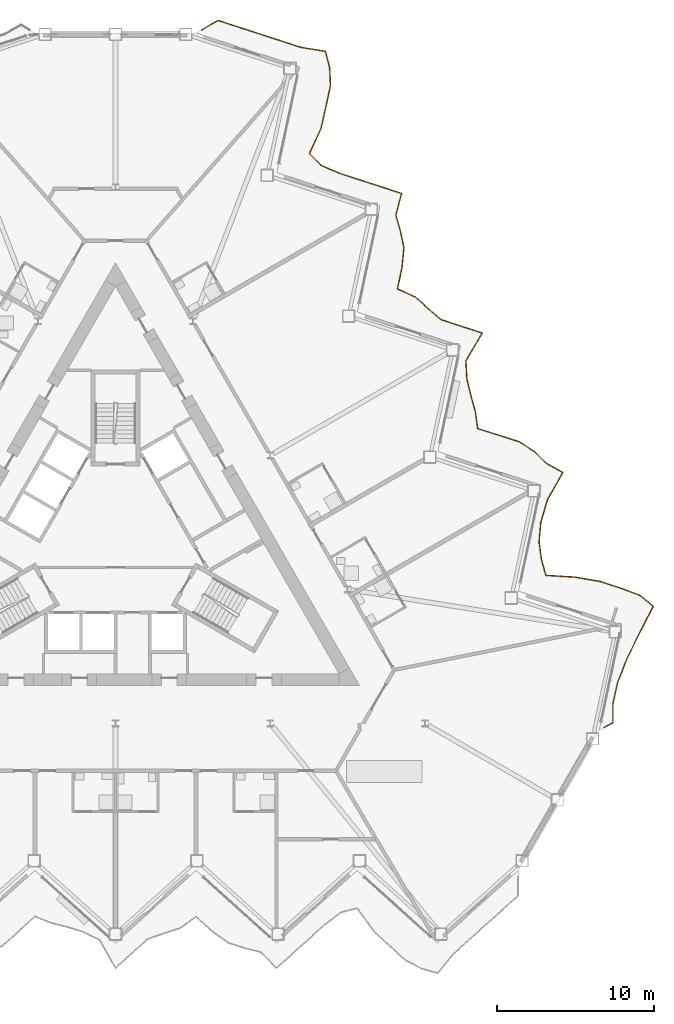
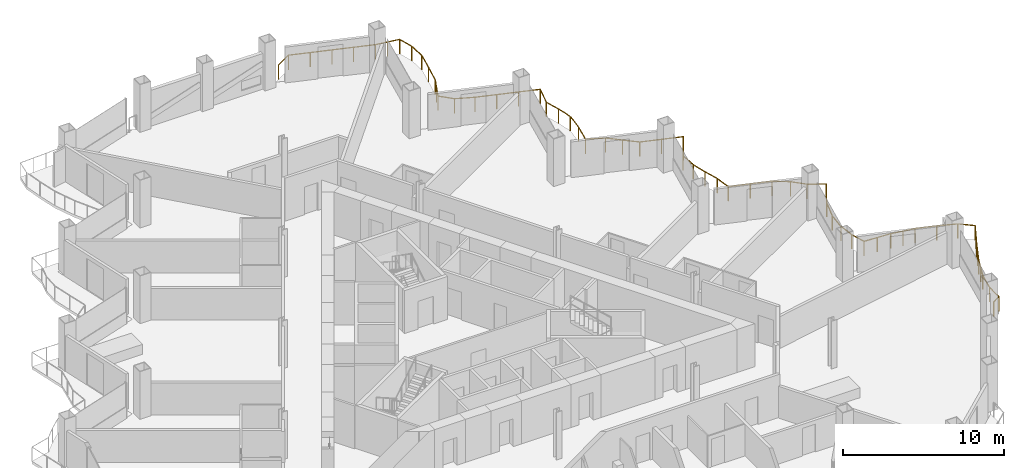
# One storey, part 21 of 23: 1 railing.
"""IFC4 building model written with IfcOpenShell, lengths in metres."""

from ifc_helpers import new_model, si_unit, direction, frame, origin, origin_2d, place, context, subcontext, project, spatial, circle, extrude, material, type_object, element, save


model = new_model("IFC4")

# Units and contexts
model_context = context("Model", 3, precision=1e-05, world=origin(), true_north=direction((0.0, 1.0)))
body_context = subcontext(model_context, "Body", "Model", "MODEL_VIEW")
ifc_project = project(units=[si_unit("LENGTHUNIT", "METRE"), si_unit("AREAUNIT", "SQUARE_METRE"), si_unit("VOLUMEUNIT", "CUBIC_METRE"), si_unit("PLANEANGLEUNIT", "RADIAN"), si_unit("MASSUNIT", "GRAM", prefix="KILO")], contexts=[model_context])

# Site, building, storey
site_placement = place(None, origin())
site = spatial("IfcSite", under=ifc_project, at=site_placement, CompositionType="ELEMENT")
building_placement = place(site_placement, origin())
building = spatial("IfcBuilding", under=site, at=building_placement, Name="Cormorant Prow Tower", CompositionType="ELEMENT")
storey_placement = place(building_placement, frame((0.0, 0.0, 176.39990234375)))
storey = spatial("IfcBuildingStorey", under=building, at=storey_placement, Name="L37", CompositionType="ELEMENT", Elevation=176.39990234375)

# Railing
ifc_material = material(Name="Aluminium 6063-T6", Category="aluminium")
railing_type = type_object("IfcRailingType", Name="Balcony guard 1100", PredefinedType="GUARDRAIL", material=ifc_material)
railing_placement = place(storey_placement, frame((31.031494140625, -11.619384765625, 0.0)))
element("IfcRailing", 1, at=railing_placement, inside=storey, type_object=railing_type, Name="Balcony guard ENE", PredefinedType="GUARDRAIL", context=body_context, shape_type="SweptSolid", body=[
    extrude(circle(Radius=0.02392578125, at=origin_2d()), frame((0.0, 0.0, 1.076171875), z_axis=(0.866204753408, 0.499689228594, 0.0), x_axis=(-0.499689228594, 0.866204753408, 0.0)), (0.0, 0.0, 1.0), 0.63623046875),
    extrude(circle(Radius=0.02392578125, at=origin_2d()), frame((0.551025390625, 0.31787109375, 1.076171875), z_axis=(0.001238900557, 0.999999232562, 0.0), x_axis=(-0.999999232562, 0.001238900557, 0.0)), (0.0, 0.0, 1.0), 1.182373046875),
    extrude(circle(Radius=0.02392578125, at=origin_2d()), frame((0.552490234375, 1.500244140625, 1.076171875), z_axis=(0.216837353632, 0.976207745344, 0.0), x_axis=(-0.976207745344, 0.216837353632, 0.0)), (0.0, 0.0, 1.0), 1.38818359375),
    extrude(circle(Radius=0.02392578125, at=origin_2d()), frame((0.853515625, 2.85546875, 1.076171875), z_axis=(0.363977820043, 0.931407615664, 0.0), x_axis=(-0.931407615664, 0.363977820043, 0.0)), (0.0, 0.0, 1.0), 1.637939453125),
    extrude(circle(Radius=0.02392578125, at=origin_2d()), frame((1.44970703125, 4.381103515625, 1.076171875), z_axis=(0.438820275915, 0.898574852444, 0.0), x_axis=(-0.898574852444, 0.438820275915, 0.0)), (0.0, 0.0, 1.0), 1.8310546875),
    extrude(circle(Radius=0.02392578125, at=origin_2d()), frame((2.253173828125, 6.0263671875, 1.076171875), z_axis=(0.456909757703, 0.889513054045, 0.0), x_axis=(-0.889513054045, 0.456909757703, 0.0)), (0.0, 0.0, 1.0), 1.888427734375),
    extrude(circle(Radius=0.02392578125, at=origin_2d()), frame((3.115966796875, 7.7060546875, 1.076171875), z_axis=(-0.768643216156, 0.639677736253, 0.0), x_axis=(-0.639677736253, -0.768643216156, 0.0)), (0.0, 0.0, 1.0), 1.09033203125),
    extrude(circle(Radius=0.02392578125, at=origin_2d()), frame((2.27783203125, 8.403564453125, 1.076171875), z_axis=(-0.936101707301, 0.351729432361, 0.0), x_axis=(-0.351729432361, -0.936101707301, 0.0)), (0.0, 0.0, 1.0), 1.324462890625),
    extrude(circle(Radius=0.02392578125, at=origin_2d()), frame((1.0380859375, 8.869384765625, 1.076171875), z_axis=(-0.951084882537, 0.308929678422, 0.0), x_axis=(-0.308929678422, -0.951084882537, 0.0)), (0.0, 0.0, 1.0), 1.376708984375),
    extrude(circle(Radius=0.02392578125, at=origin_2d()), frame((-0.271240234375, 9.294677734375, 1.076171875), z_axis=(-0.985748137908, 0.16822784731, 0.0), x_axis=(-0.16822784731, -0.985748137908, 0.0)), (0.0, 0.0, 1.0), 1.602294921875),
    extrude(circle(Radius=0.02392578125, at=origin_2d()), frame((-1.8505859375, 9.564208984375, 1.076171875), z_axis=(-0.998130705632, 0.061115419294, 0.0), x_axis=(-0.061115419294, -0.998130705632, 0.0)), (0.0, 0.0, 1.0), 1.853515625),
    extrude(circle(Radius=0.02392578125, at=origin_2d()), frame((-3.70068359375, 9.677490234375, 1.076171875), z_axis=(-0.267512799618, 0.963554306742, 0.0), x_axis=(-0.963554306742, -0.267512799618, 0.0)), (0.0, 0.0, 1.0), 1.056884765625),
    extrude(circle(Radius=0.02392578125, at=origin_2d()), frame((-3.9833984375, 10.69580078125, 1.076171875), z_axis=(-0.134246078402, 0.990948026101, 0.0), x_axis=(-0.990948026101, -0.134246078402, 0.0)), (0.0, 0.0, 1.0), 1.105712890625),
    extrude(circle(Radius=0.02392578125, at=origin_2d()), frame((-4.1318359375, 11.79150390625, 1.076171875), z_axis=(0.087734135506, 0.99614392608, 0.0), x_axis=(-0.99614392608, 0.087734135506, 0.0)), (0.0, 0.0, 1.0), 1.24951171875),
    extrude(circle(Radius=0.02392578125, at=origin_2d()), frame((-4.022216796875, 13.0361328125, 1.076171875), z_axis=(0.281996979435, 0.959415292556, 0.0), x_axis=(-0.959415292556, 0.281996979435, 0.0)), (0.0, 0.0, 1.0), 1.483154296875),
    extrude(circle(Radius=0.02392578125, at=origin_2d()), frame((-3.60400390625, 14.458984375, 1.076171875), z_axis=(0.488149709295, 0.872759910465, 0.0), x_axis=(-0.872759910465, 0.488149709295, 0.0)), (0.0, 0.0, 1.0), 1.99951171875),
    extrude(circle(Radius=0.02392578125, at=origin_2d()), frame((-2.6279296875, 16.2041015625, 1.076171875), z_axis=(-0.872019132688, 0.489471789, 0.0), x_axis=(-0.489471789, -0.872019132688, 0.0)), (0.0, 0.0, 1.0), 1.189697265625),
    extrude(circle(Radius=0.02392578125, at=origin_2d()), frame((-3.665283203125, 16.786376953125, 1.076171875), z_axis=(-0.710893849194, 0.703299321184, 0.0), x_axis=(-0.703299321184, -0.710893849194, 0.0)), (0.0, 0.0, 1.0), 1.060791015625),
    extrude(circle(Radius=0.02392578125, at=origin_2d()), frame((-4.41943359375, 17.532470703125, 1.076171875), z_axis=(-0.840854315224, 0.541261508487, 0.0), x_axis=(-0.541261508487, -0.840854315224, 0.0)), (0.0, 0.0, 1.0), 1.150634765625),
    extrude(circle(Radius=0.02392578125, at=origin_2d()), frame((-5.386962890625, 18.1552734375, 1.076171875), z_axis=(-0.951032765546, 0.309090082108, 0.0), x_axis=(-0.309090082108, -0.951032765546, 0.0)), (0.0, 0.0, 1.0), 1.376708984375),
    extrude(circle(Radius=0.02392578125, at=origin_2d()), frame((-6.6962890625, 18.580810546875, 1.076171875), z_axis=(-0.954367449084, 0.298634847478, 0.0), x_axis=(-0.298634847478, -0.954367449084, 0.0)), (0.0, 0.0, 1.0), 1.390625),
    extrude(circle(Radius=0.02392578125, at=origin_2d()), frame((-8.0234375, 18.99609375, 1.076171875), z_axis=(-0.142227709414, 0.989833965206, 0.0), x_axis=(-0.989833965206, -0.142227709414, 0.0)), (0.0, 0.0, 1.0), 1.10205078125),
    extrude(circle(Radius=0.02392578125, at=origin_2d()), frame((-8.18017578125, 20.0869140625, 1.076171875), z_axis=(-0.269741378874, 0.962932805819, 0.0), x_axis=(-0.962932805819, -0.269741378874, 0.0)), (0.0, 0.0, 1.0), 1.05615234375),
    extrude(circle(Radius=0.02392578125, at=origin_2d()), frame((-8.465087890625, 21.10400390625, 1.076171875), z_axis=(-0.234394392952, 0.972141588737, 0.0), x_axis=(-0.972141588737, -0.234394392952, 0.0)), (0.0, 0.0, 1.0), 1.066650390625),
    extrude(circle(Radius=0.02392578125, at=origin_2d()), frame((-8.715087890625, 22.140869140625, 1.076171875), z_axis=(-0.053831909847, 0.998550011508, 0.0), x_axis=(-0.998550011508, -0.053831909847, 0.0)), (0.0, 0.0, 1.0), 1.1474609375),
    extrude(circle(Radius=0.02392578125, at=origin_2d()), frame((-8.77685546875, 23.28662109375, 1.076171875), z_axis=(0.5024161652, 0.864625928911, 0.0), x_axis=(-0.864625928911, 0.5024161652, 0.0)), (0.0, 0.0, 1.0), 2.056396484375),
    extrude(circle(Radius=0.02392578125, at=origin_2d()), frame((-7.74365234375, 25.064697265625, 1.076171875), z_axis=(-0.951084882537, 0.308929678422, 0.0), x_axis=(-0.308929678422, -0.951084882537, 0.0)), (0.0, 0.0, 1.0), 1.376708984375),
    extrude(circle(Radius=0.02392578125, at=origin_2d()), frame((-9.052978515625, 25.489990234375, 1.076171875), z_axis=(-0.951032765546, 0.309090082108, 0.0), x_axis=(-0.309090082108, -0.951032765546, 0.0)), (0.0, 0.0, 1.0), 1.376708984375),
    extrude(circle(Radius=0.02392578125, at=origin_2d()), frame((-10.3623046875, 25.91552734375, 1.076171875), z_axis=(-0.755391403795, 0.655273856546, 0.0), x_axis=(-0.655273856546, -0.755391403795, 0.0)), (0.0, 0.0, 1.0), 1.082763671875),
    extrude(circle(Radius=0.02392578125, at=origin_2d()), frame((-11.18017578125, 26.625, 1.076171875), z_axis=(-0.742288433419, 0.67008050383, 0.0), x_axis=(-0.67008050383, -0.742288433419, 0.0)), (0.0, 0.0, 1.0), 1.0751953125),
    extrude(circle(Radius=0.02392578125, at=origin_2d()), frame((-11.978271484375, 27.345458984375, 1.076171875), z_axis=(-0.909793302603, 0.415061617762, 0.0), x_axis=(-0.415061617762, -0.909793302603, 0.0)), (0.0, 0.0, 1.0), 1.25634765625),
    extrude(circle(Radius=0.02392578125, at=origin_2d()), frame((-13.121337890625, 27.866943359375, 1.076171875), z_axis=(0.207833305176, 0.978164258834, 0.0), x_axis=(-0.978164258834, 0.207833305176, 0.0)), (0.0, 0.0, 1.0), 1.376708984375),
    extrude(circle(Radius=0.02392578125, at=origin_2d()), frame((-12.835205078125, 29.213623046875, 1.076171875), z_axis=(0.099407789169, 0.995046778525, 0.0), x_axis=(-0.995046778525, 0.099407789169, 0.0)), (0.0, 0.0, 1.0), 1.260009765625),
    extrude(circle(Radius=0.02392578125, at=origin_2d()), frame((-12.7099609375, 30.46728515625, 1.076171875), z_axis=(-0.207405502784, 0.978255057444, 0.0), x_axis=(-0.978255057444, -0.207405502784, 0.0)), (0.0, 0.0, 1.0), 1.075927734375),
    extrude(circle(Radius=0.02392578125, at=origin_2d()), frame((-12.93310546875, 31.519775390625, 1.076171875), z_axis=(-0.27621920783, 0.961094661948, 0.0), x_axis=(-0.961094661948, -0.27621920783, 0.0)), (0.0, 0.0, 1.0), 1.054443359375),
    extrude(circle(Radius=0.02392578125, at=origin_2d()), frame((-13.224365234375, 32.533203125, 1.076171875), z_axis=(0.253616412418, 0.967304871978, 0.0), x_axis=(-0.967304871978, 0.253616412418, 0.0)), (0.0, 0.0, 1.0), 1.439208984375),
    extrude(circle(Radius=0.02392578125, at=origin_2d()), frame((-12.859375, 33.92529296875, 1.076171875), z_axis=(-0.951032765546, 0.309090082108, 0.0), x_axis=(-0.309090082108, -0.951032765546, 0.0)), (0.0, 0.0, 1.0), 1.376708984375),
    extrude(circle(Radius=0.02392578125, at=origin_2d()), frame((-14.168701171875, 34.350830078125, 1.076171875), z_axis=(-0.951084882537, 0.308929678422, 0.0), x_axis=(-0.308929678422, -0.951084882537, 0.0)), (0.0, 0.0, 1.0), 1.376708984375),
    extrude(circle(Radius=0.02392578125, at=origin_2d()), frame((-15.47802734375, 34.776123046875, 1.076171875), z_axis=(-0.951032765546, 0.309090082108, 0.0), x_axis=(-0.309090082108, -0.951032765546, 0.0)), (0.0, 0.0, 1.0), 1.376708984375),
    extrude(circle(Radius=0.02392578125, at=origin_2d()), frame((-16.787353515625, 35.20166015625, 1.076171875), z_axis=(-0.920548561993, 0.390628141603, 0.0), x_axis=(-0.390628141603, -0.920548561993, 0.0)), (0.0, 0.0, 1.0), 1.28125),
    extrude(circle(Radius=0.02392578125, at=origin_2d()), frame((-17.966796875, 35.7021484375, 1.076171875), z_axis=(-0.698618454401, 0.715494413095, 0.0), x_axis=(-0.715494413095, -0.698618454401, 0.0)), (0.0, 0.0, 1.0), 1.05615234375),
    extrude(circle(Radius=0.02392578125, at=origin_2d()), frame((-18.70458984375, 36.457763671875, 1.076171875), z_axis=(0.41513789658, 0.909758499176, 0.0), x_axis=(-0.909758499176, 0.41513789658, 0.0)), (0.0, 0.0, 1.0), 1.76318359375),
    extrude(circle(Radius=0.02392578125, at=origin_2d()), frame((-17.97265625, 38.061767578125, 1.076171875), z_axis=(0.221083468792, 0.975254889671, 0.0), x_axis=(-0.975254889671, 0.221083468792, 0.0)), (0.0, 0.0, 1.0), 1.3935546875),
    extrude(circle(Radius=0.02392578125, at=origin_2d()), frame((-17.66455078125, 39.4208984375, 1.076171875), z_axis=(0.208002968159, 0.978128194685, 0.0), x_axis=(-0.978128194685, 0.208002968159, 0.0)), (0.0, 0.0, 1.0), 1.376708984375),
    extrude(circle(Radius=0.02392578125, at=origin_2d()), frame((-17.378173828125, 40.767578125, 1.076171875), z_axis=(-0.042950586858, 0.999077197762, 0.0), x_axis=(-0.999077197762, -0.042950586858, 0.0)), (0.0, 0.0, 1.0), 1.15380859375),
    extrude(circle(Radius=0.02392578125, at=origin_2d()), frame((-17.427734375, 41.92041015625, 1.076171875), z_axis=(-0.252646693234, 0.967558602048, 0.0), x_axis=(-0.967558602048, -0.252646693234, 0.0)), (0.0, 0.0, 1.0), 1.06103515625),
    extrude(circle(Radius=0.02392578125, at=origin_2d()), frame((-17.69580078125, 42.947021484375, 1.076171875), z_axis=(-0.986430773558, 0.16417773594, 0.0), x_axis=(-0.16417773594, -0.986430773558, 0.0)), (0.0, 0.0, 1.0), 1.610595703125),
    extrude(circle(Radius=0.02392578125, at=origin_2d()), frame((-19.284423828125, 43.21142578125, 1.076171875), z_axis=(-0.951032765546, 0.309090082108, 0.0), x_axis=(-0.309090082108, -0.951032765546, 0.0)), (0.0, 0.0, 1.0), 1.376708984375),
    extrude(circle(Radius=0.02392578125, at=origin_2d()), frame((-20.59375, 43.636962890625, 1.076171875), z_axis=(-0.951032765546, 0.309090082108, 0.0), x_axis=(-0.309090082108, -0.951032765546, 0.0)), (0.0, 0.0, 1.0), 1.376708984375),
    extrude(circle(Radius=0.02392578125, at=origin_2d()), frame((-21.903076171875, 44.0625, 1.076171875), z_axis=(-0.951084882537, 0.308929678422, 0.0), x_axis=(-0.308929678422, -0.951084882537, 0.0)), (0.0, 0.0, 1.0), 1.376708984375),
    extrude(circle(Radius=0.02392578125, at=origin_2d()), frame((-23.21240234375, 44.48779296875, 1.076171875), z_axis=(-0.951101803336, 0.308877580427, 0.0), x_axis=(-0.308877580427, -0.951101803336, 0.0)), (0.0, 0.0, 1.0), 1.376953125),
    extrude(circle(Radius=0.02392578125, at=origin_2d()), frame((-24.52197265625, 44.9130859375, 1.076171875), z_axis=(-0.866092288191, -0.499884134912, 0.0), x_axis=(0.499884134912, -0.866092288191, 0.0)), (0.0, 0.0, 1.0), 1.219970703125),
    extrude(circle(Radius=0.02099609375, at=origin_2d()), origin(), (0.0, 0.0, 1.0), 1.052001953125),
    extrude(circle(Radius=0.02099609375, at=origin_2d()), frame((0.551025390625, 0.31787109375, 0.0)), (0.0, 0.0, 1.0), 1.052001953125),
    extrude(circle(Radius=0.02099609375, at=origin_2d()), frame((0.552490234375, 1.500244140625, 0.0)), (0.0, 0.0, 1.0), 1.052001953125),
    extrude(circle(Radius=0.02099609375, at=origin_2d()), frame((0.853515625, 2.85546875, 0.0)), (0.0, 0.0, 1.0), 1.052001953125),
    extrude(circle(Radius=0.02099609375, at=origin_2d()), frame((1.151611328125, 3.6181640625, 0.0)), (0.0, 0.0, 1.0), 1.052001953125),
    extrude(circle(Radius=0.02099609375, at=origin_2d()), frame((1.44970703125, 4.381103515625, 0.0)), (0.0, 0.0, 1.0), 1.052001953125),
    extrude(circle(Radius=0.02099609375, at=origin_2d()), frame((1.8515625, 5.20361328125, 0.0)), (0.0, 0.0, 1.0), 1.052001953125),
    extrude(circle(Radius=0.02099609375, at=origin_2d()), frame((2.253173828125, 6.0263671875, 0.0)), (0.0, 0.0, 1.0), 1.052001953125),
    extrude(circle(Radius=0.02099609375, at=origin_2d()), frame((2.6845703125, 6.8662109375, 0.0)), (0.0, 0.0, 1.0), 1.052001953125),
    extrude(circle(Radius=0.02099609375, at=origin_2d()), frame((3.115966796875, 7.7060546875, 0.0)), (0.0, 0.0, 1.0), 1.052001953125),
    extrude(circle(Radius=0.02099609375, at=origin_2d()), frame((2.27783203125, 8.403564453125, 0.0)), (0.0, 0.0, 1.0), 1.052001953125),
    extrude(circle(Radius=0.02099609375, at=origin_2d()), frame((1.0380859375, 8.869384765625, 0.0)), (0.0, 0.0, 1.0), 1.052001953125),
    extrude(circle(Radius=0.02099609375, at=origin_2d()), frame((-0.271240234375, 9.294677734375, 0.0)), (0.0, 0.0, 1.0), 1.052001953125),
    extrude(circle(Radius=0.02099609375, at=origin_2d()), frame((-1.06103515625, 9.429443359375, 0.0)), (0.0, 0.0, 1.0), 1.052001953125),
    extrude(circle(Radius=0.02099609375, at=origin_2d()), frame((-1.8505859375, 9.564208984375, 0.0)), (0.0, 0.0, 1.0), 1.052001953125),
    extrude(circle(Radius=0.02099609375, at=origin_2d()), frame((-2.775634765625, 9.620849609375, 0.0)), (0.0, 0.0, 1.0), 1.052001953125),
    extrude(circle(Radius=0.02099609375, at=origin_2d()), frame((-3.70068359375, 9.677490234375, 0.0)), (0.0, 0.0, 1.0), 1.052001953125),
    extrude(circle(Radius=0.02099609375, at=origin_2d()), frame((-3.9833984375, 10.69580078125, 0.0)), (0.0, 0.0, 1.0), 1.052001953125),
    extrude(circle(Radius=0.02099609375, at=origin_2d()), frame((-4.1318359375, 11.79150390625, 0.0)), (0.0, 0.0, 1.0), 1.052001953125),
    extrude(circle(Radius=0.02099609375, at=origin_2d()), frame((-4.022216796875, 13.0361328125, 0.0)), (0.0, 0.0, 1.0), 1.052001953125),
    extrude(circle(Radius=0.02099609375, at=origin_2d()), frame((-3.60400390625, 14.458984375, 0.0)), (0.0, 0.0, 1.0), 1.052001953125),
    extrude(circle(Radius=0.02099609375, at=origin_2d()), frame((-3.115966796875, 15.33154296875, 0.0)), (0.0, 0.0, 1.0), 1.052001953125),
    extrude(circle(Radius=0.02099609375, at=origin_2d()), frame((-2.6279296875, 16.2041015625, 0.0)), (0.0, 0.0, 1.0), 1.052001953125),
    extrude(circle(Radius=0.02099609375, at=origin_2d()), frame((-3.665283203125, 16.786376953125, 0.0)), (0.0, 0.0, 1.0), 1.052001953125),
    extrude(circle(Radius=0.02099609375, at=origin_2d()), frame((-4.41943359375, 17.532470703125, 0.0)), (0.0, 0.0, 1.0), 1.052001953125),
    extrude(circle(Radius=0.02099609375, at=origin_2d()), frame((-5.386962890625, 18.1552734375, 0.0)), (0.0, 0.0, 1.0), 1.052001953125),
    extrude(circle(Radius=0.02099609375, at=origin_2d()), frame((-6.6962890625, 18.580810546875, 0.0)), (0.0, 0.0, 1.0), 1.052001953125),
    extrude(circle(Radius=0.02099609375, at=origin_2d()), frame((-8.0234375, 18.99609375, 0.0)), (0.0, 0.0, 1.0), 1.052001953125),
    extrude(circle(Radius=0.02099609375, at=origin_2d()), frame((-8.18017578125, 20.0869140625, 0.0)), (0.0, 0.0, 1.0), 1.052001953125),
    extrude(circle(Radius=0.02099609375, at=origin_2d()), frame((-8.465087890625, 21.10400390625, 0.0)), (0.0, 0.0, 1.0), 1.052001953125),
    extrude(circle(Radius=0.02099609375, at=origin_2d()), frame((-8.715087890625, 22.140869140625, 0.0)), (0.0, 0.0, 1.0), 1.052001953125),
    extrude(circle(Radius=0.02099609375, at=origin_2d()), frame((-8.77685546875, 23.28662109375, 0.0)), (0.0, 0.0, 1.0), 1.052001953125),
    extrude(circle(Radius=0.02099609375, at=origin_2d()), frame((-8.26025390625, 24.17578125, 0.0)), (0.0, 0.0, 1.0), 1.052001953125),
    extrude(circle(Radius=0.02099609375, at=origin_2d()), frame((-7.74365234375, 25.064697265625, 0.0)), (0.0, 0.0, 1.0), 1.052001953125),
    extrude(circle(Radius=0.02099609375, at=origin_2d()), frame((-9.052978515625, 25.489990234375, 0.0)), (0.0, 0.0, 1.0), 1.052001953125),
    extrude(circle(Radius=0.02099609375, at=origin_2d()), frame((-10.3623046875, 25.91552734375, 0.0)), (0.0, 0.0, 1.0), 1.052001953125),
    extrude(circle(Radius=0.02099609375, at=origin_2d()), frame((-11.18017578125, 26.625, 0.0)), (0.0, 0.0, 1.0), 1.052001953125),
    extrude(circle(Radius=0.02099609375, at=origin_2d()), frame((-11.978271484375, 27.345458984375, 0.0)), (0.0, 0.0, 1.0), 1.052001953125),
    extrude(circle(Radius=0.02099609375, at=origin_2d()), frame((-13.121337890625, 27.866943359375, 0.0)), (0.0, 0.0, 1.0), 1.052001953125),
    extrude(circle(Radius=0.02099609375, at=origin_2d()), frame((-12.835205078125, 29.213623046875, 0.0)), (0.0, 0.0, 1.0), 1.052001953125),
    extrude(circle(Radius=0.02099609375, at=origin_2d()), frame((-12.7099609375, 30.46728515625, 0.0)), (0.0, 0.0, 1.0), 1.052001953125),
    extrude(circle(Radius=0.02099609375, at=origin_2d()), frame((-12.93310546875, 31.519775390625, 0.0)), (0.0, 0.0, 1.0), 1.052001953125),
    extrude(circle(Radius=0.02099609375, at=origin_2d()), frame((-13.224365234375, 32.533203125, 0.0)), (0.0, 0.0, 1.0), 1.052001953125),
    extrude(circle(Radius=0.02099609375, at=origin_2d()), frame((-12.859375, 33.92529296875, 0.0)), (0.0, 0.0, 1.0), 1.052001953125),
    extrude(circle(Radius=0.02099609375, at=origin_2d()), frame((-14.168701171875, 34.350830078125, 0.0)), (0.0, 0.0, 1.0), 1.052001953125),
    extrude(circle(Radius=0.02099609375, at=origin_2d()), frame((-15.47802734375, 34.776123046875, 0.0)), (0.0, 0.0, 1.0), 1.052001953125),
    extrude(circle(Radius=0.02099609375, at=origin_2d()), frame((-16.787353515625, 35.20166015625, 0.0)), (0.0, 0.0, 1.0), 1.052001953125),
    extrude(circle(Radius=0.02099609375, at=origin_2d()), frame((-17.966796875, 35.7021484375, 0.0)), (0.0, 0.0, 1.0), 1.052001953125),
    extrude(circle(Radius=0.02099609375, at=origin_2d()), frame((-18.70458984375, 36.457763671875, 0.0)), (0.0, 0.0, 1.0), 1.052001953125),
    extrude(circle(Radius=0.02099609375, at=origin_2d()), frame((-18.338623046875, 37.259765625, 0.0)), (0.0, 0.0, 1.0), 1.052001953125),
    extrude(circle(Radius=0.02099609375, at=origin_2d()), frame((-17.97265625, 38.061767578125, 0.0)), (0.0, 0.0, 1.0), 1.052001953125),
    extrude(circle(Radius=0.02099609375, at=origin_2d()), frame((-17.66455078125, 39.4208984375, 0.0)), (0.0, 0.0, 1.0), 1.052001953125),
    extrude(circle(Radius=0.02099609375, at=origin_2d()), frame((-17.378173828125, 40.767578125, 0.0)), (0.0, 0.0, 1.0), 1.052001953125),
    extrude(circle(Radius=0.02099609375, at=origin_2d()), frame((-17.427734375, 41.92041015625, 0.0)), (0.0, 0.0, 1.0), 1.052001953125),
    extrude(circle(Radius=0.02099609375, at=origin_2d()), frame((-17.69580078125, 42.947021484375, 0.0)), (0.0, 0.0, 1.0), 1.052001953125),
    extrude(circle(Radius=0.02099609375, at=origin_2d()), frame((-18.490234375, 43.0791015625, 0.0)), (0.0, 0.0, 1.0), 1.052001953125),
    extrude(circle(Radius=0.02099609375, at=origin_2d()), frame((-19.284423828125, 43.21142578125, 0.0)), (0.0, 0.0, 1.0), 1.052001953125),
    extrude(circle(Radius=0.02099609375, at=origin_2d()), frame((-20.59375, 43.636962890625, 0.0)), (0.0, 0.0, 1.0), 1.052001953125),
    extrude(circle(Radius=0.02099609375, at=origin_2d()), frame((-21.903076171875, 44.0625, 0.0)), (0.0, 0.0, 1.0), 1.052001953125),
    extrude(circle(Radius=0.02099609375, at=origin_2d()), frame((-23.21240234375, 44.48779296875, 0.0)), (0.0, 0.0, 1.0), 1.052001953125),
    extrude(circle(Radius=0.02099609375, at=origin_2d()), frame((-24.52197265625, 44.9130859375, 0.0)), (0.0, 0.0, 1.0), 1.052001953125),
    extrude(circle(Radius=0.02099609375, at=origin_2d()), frame((-25.57861328125, 44.30322265625, 0.0)), (0.0, 0.0, 1.0), 1.052001953125),
])

save(model, "model.ifc")
